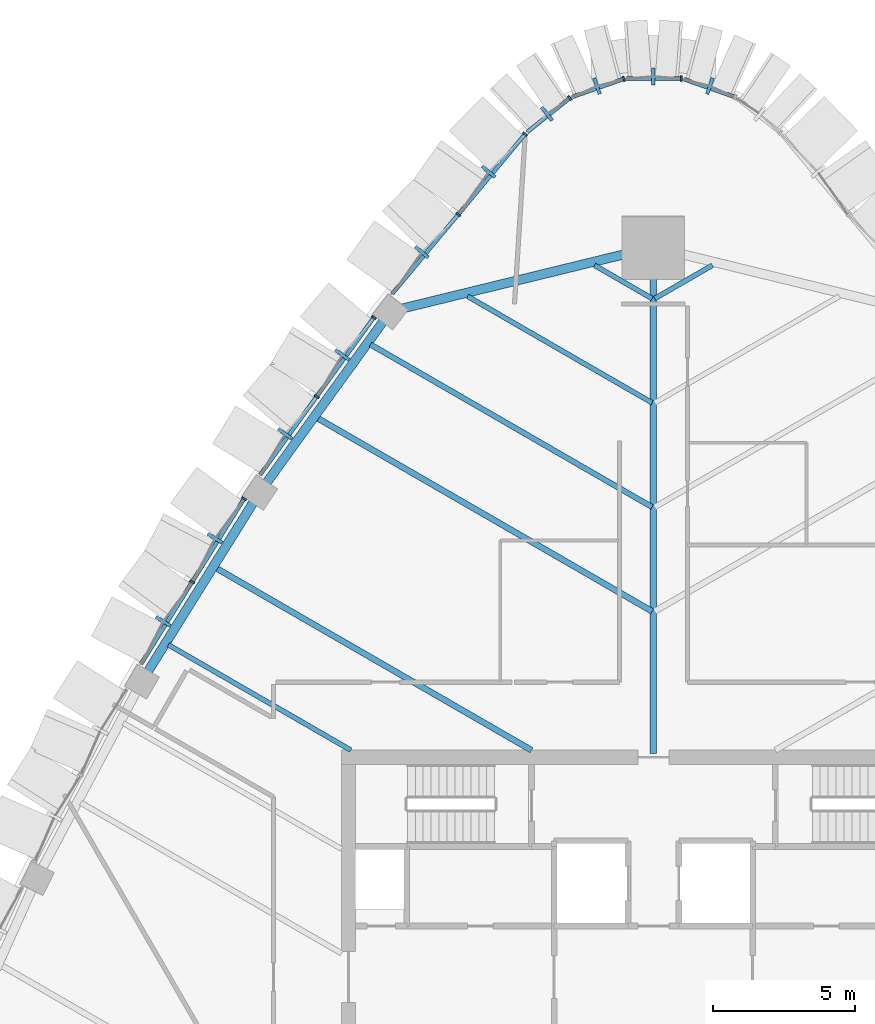
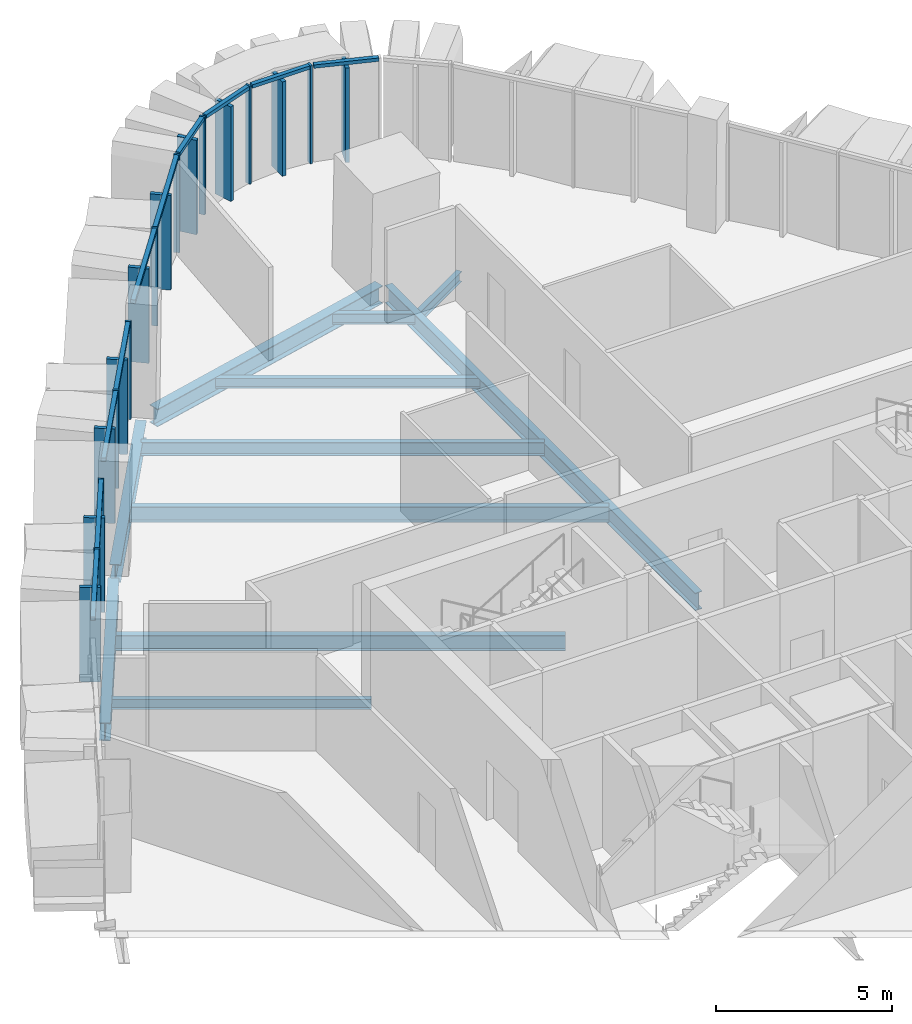
# One storey, part 6 of 19: 29 members, 11 beams, 7 elements without a shape of their own.
"""IFC4 building model written with IfcOpenShell, lengths in metres."""

from ifc_helpers import new_model, si_unit, direction, frame, origin, origin_2d, place, context, subcontext, project, spatial, rectangle, i_section, extrude, material, layer, layer_set, material_profile, profile_set, type_object, element, aggregate, save


model = new_model("IFC4")

# Units and contexts
model_context = context("Model", 3, precision=1e-05, world=origin(), true_north=direction((0.0, 1.0)))
body_context = subcontext(model_context, "Body", "Model", "MODEL_VIEW")
ifc_project = project(units=[si_unit("LENGTHUNIT", "METRE"), si_unit("AREAUNIT", "SQUARE_METRE"), si_unit("VOLUMEUNIT", "CUBIC_METRE"), si_unit("PLANEANGLEUNIT", "RADIAN"), si_unit("MASSUNIT", "GRAM", prefix="KILO")], contexts=[model_context])

# Site, building, storey
site_placement = place(None, origin())
site = spatial("IfcSite", under=ifc_project, at=site_placement, CompositionType="ELEMENT")
building_placement = place(site_placement, origin())
building = spatial("IfcBuilding", under=site, at=building_placement, Name="Sierra Prisma Convention Tower", CompositionType="ELEMENT")
storey_placement = place(building_placement, frame((0.0, 0.0, 231.0)))
storey = spatial("IfcBuildingStorey", under=building, at=storey_placement, Name="L51", CompositionType="ELEMENT", Elevation=231.0)

# Curtain wall, member
ifc_material_1 = material(Name="Aluminium and glass curtain wall", Category="aluminium")
ifc_layer = layer(ifc_material_1, 0.179931640625)
ifc_layer_set = layer_set([ifc_layer], Name="CW-2 Faceted crystal curtain wall")
curtain_wall_type = type_object("IfcCurtainWallType", Name="CW-2 Faceted crystal curtain wall", PredefinedType="NOTDEFINED", material=ifc_layer_set)
curtain_wall_1_placement = place(storey_placement, origin())
curtain_wall_1 = element("IfcCurtainWall", 1, at=curtain_wall_1_placement, inside=storey, type_object=curtain_wall_type, Name="CW-2 N2 L51", PredefinedType="NOTDEFINED")
ifc_material_2 = material(Name="Aluminium 6063-T6 bronze anodised", Category="aluminium")
ifc_material_profile_1 = material_profile(ifc_material_2, rectangle(XDim=0.1201171875, YDim=0.60009765625, at=origin_2d()), Name="ALU RIDGE BLADE 120x600")
ifc_profile_set_1 = profile_set([ifc_material_profile_1], Name="Aluminium 6063-T6 bronze anodised")
member_type_1 = type_object("IfcMemberType", Name="CW hip bronze", PredefinedType="MULLION", material=ifc_profile_set_1)
member_1_placement = place(storey_placement, frame((1.99267578125, 31.42626953125, 0.0), z_axis=(0.0, 0.0, 1.0), x_axis=(-0.943715675741, 0.330757801663, 0.0)))
member_1 = element("IfcMember", 2, at=member_1_placement, type_object=member_type_1, Name="CW-2 ridge N2.1", PredefinedType="MULLION", context=body_context, shape_type="SweptSolid", body=[
    extrude(rectangle(XDim=0.1201171875, YDim=0.60009765625, at=origin_2d()), origin(), (0.0, 0.0, 1.0), 3.280029296875),
])

curtain_wall_2_placement = place(storey_placement, origin())
curtain_wall_2 = element("IfcCurtainWall", 3, at=curtain_wall_2_placement, inside=storey, type_object=curtain_wall_type, Name="CW-2 N3 L51", PredefinedType="NOTDEFINED")
member_2_placement = place(storey_placement, frame((0.0, 31.765380859375, 0.0), z_axis=(0.0, 0.0, 1.0), x_axis=(-1.0, 0.0, 0.0)))
member_2 = element("IfcMember", 4, at=member_2_placement, type_object=member_type_1, Name="CW-2 ridge N3.1", PredefinedType="MULLION", context=body_context, shape_type="SweptSolid", body=[
    extrude(rectangle(XDim=0.1201171875, YDim=0.60009765625, at=origin_2d()), origin(), (0.0, 0.0, 1.0), 3.280029296875),
])

curtain_wall_3_placement = place(storey_placement, origin())
curtain_wall_3 = element("IfcCurtainWall", 5, at=curtain_wall_3_placement, inside=storey, type_object=curtain_wall_type, Name="CW-2 N4 L51", PredefinedType="NOTDEFINED")
member_3_placement = place(storey_placement, frame((-1.99267578125, 31.42626953125, 0.0), z_axis=(0.0, 0.0, 1.0), x_axis=(-0.943715675741, -0.330757801663, 0.0)))
member_3 = element("IfcMember", 6, at=member_3_placement, type_object=member_type_1, Name="CW-2 ridge N4.1", PredefinedType="MULLION", context=body_context, shape_type="SweptSolid", body=[
    extrude(rectangle(XDim=0.1201171875, YDim=0.60009765625, at=origin_2d()), origin(), (0.0, 0.0, 1.0), 3.280029296875),
])

curtain_wall_4_placement = place(storey_placement, origin())
curtain_wall_4 = element("IfcCurtainWall", 7, at=curtain_wall_4_placement, inside=storey, type_object=curtain_wall_type, Name="CW-2 N5 L51", PredefinedType="NOTDEFINED")
member_4_placement = place(storey_placement, frame((-3.760986328125, 30.447265625, 0.0), z_axis=(0.0, 0.0, 1.0), x_axis=(-0.781198553278, -0.624282644606, 0.0)))
member_4 = element("IfcMember", 8, at=member_4_placement, type_object=member_type_1, Name="CW-2 ridge N5.1", PredefinedType="MULLION", context=body_context, shape_type="SweptSolid", body=[
    extrude(rectangle(XDim=0.1201171875, YDim=0.60009765625, at=origin_2d()), origin(), (0.0, 0.0, 1.0), 3.280029296875),
])

# Curtain wall, members
curtain_wall_5_placement = place(storey_placement, origin())
curtain_wall_5 = element("IfcCurtainWall", 9, at=curtain_wall_5_placement, inside=storey, type_object=curtain_wall_type, Name="CW-2 NW1 L51", PredefinedType="NOTDEFINED")
member_5_placement = place(storey_placement, frame((-5.816162109375, 28.404541015625, 0.0), z_axis=(0.0, 0.0, 1.0), x_axis=(-0.639584992487, -0.768720389599, 0.0)))
member_5 = element("IfcMember", 10, at=member_5_placement, type_object=member_type_1, Name="CW-2 ridge NW1.1", PredefinedType="MULLION", context=body_context, shape_type="SweptSolid", body=[
    extrude(rectangle(XDim=0.1201171875, YDim=0.60009765625, at=origin_2d()), origin(), (0.0, 0.0, 1.0), 3.280029296875),
])
member_6_placement = place(storey_placement, frame((-8.173828125, 25.57080078125, 0.0), z_axis=(0.0, 0.0, 1.0), x_axis=(-0.639584992487, -0.768720389599, 0.0)))
member_6 = element("IfcMember", 11, at=member_6_placement, type_object=member_type_1, Name="CW-2 ridge NW1.2", PredefinedType="MULLION", context=body_context, shape_type="SweptSolid", body=[
    extrude(rectangle(XDim=0.1201171875, YDim=0.60009765625, at=origin_2d()), origin(), (0.0, 0.0, 1.0), 3.280029296875),
])

curtain_wall_6_placement = place(storey_placement, origin())
curtain_wall_6 = element("IfcCurtainWall", 12, at=curtain_wall_6_placement, inside=storey, type_object=curtain_wall_type, Name="CW-2 NW2 L51", PredefinedType="NOTDEFINED")
member_7_placement = place(storey_placement, frame((-10.978271484375, 21.945068359375, 0.0), z_axis=(0.0, 0.0, 1.0), x_axis=(-0.585757588825, -0.810486302866, 0.0)))
member_7 = element("IfcMember", 13, at=member_7_placement, type_object=member_type_1, Name="CW-2 ridge NW2.1", PredefinedType="MULLION", context=body_context, shape_type="SweptSolid", body=[
    extrude(rectangle(XDim=0.1201171875, YDim=0.60009765625, at=origin_2d()), origin(), (0.0, 0.0, 1.0), 3.280029296875),
])
member_8_placement = place(storey_placement, frame((-12.99267578125, 19.15771484375, 0.0), z_axis=(0.0, 0.0, 1.0), x_axis=(-0.585757588825, -0.810486302866, 0.0)))
member_8 = element("IfcMember", 14, at=member_8_placement, type_object=member_type_1, Name="CW-2 ridge NW2.2", PredefinedType="MULLION", context=body_context, shape_type="SweptSolid", body=[
    extrude(rectangle(XDim=0.1201171875, YDim=0.60009765625, at=origin_2d()), origin(), (0.0, 0.0, 1.0), 3.280029296875),
])

curtain_wall_7_placement = place(storey_placement, origin())
curtain_wall_7 = element("IfcCurtainWall", 15, at=curtain_wall_7_placement, inside=storey, type_object=curtain_wall_type, Name="CW-2 NW3 L51", PredefinedType="NOTDEFINED")
member_9_placement = place(storey_placement, frame((-15.467041015625, 15.475830078125, 0.0), z_axis=(0.0, 0.0, 1.0), x_axis=(-0.529211226778, -0.848490116296, 0.0)))
member_9 = element("IfcMember", 16, at=member_9_placement, type_object=member_type_1, Name="CW-2 ridge NW3.1", PredefinedType="MULLION", context=body_context, shape_type="SweptSolid", body=[
    extrude(rectangle(XDim=0.1201171875, YDim=0.60009765625, at=origin_2d()), origin(), (0.0, 0.0, 1.0), 3.280029296875),
])
member_10_placement = place(storey_placement, frame((-17.295654296875, 12.544189453125, 0.0), z_axis=(0.0, 0.0, 1.0), x_axis=(-0.529211226778, -0.848490116296, 0.0)))
member_10 = element("IfcMember", 17, at=member_10_placement, type_object=member_type_1, Name="CW-2 ridge NW3.2", PredefinedType="MULLION", context=body_context, shape_type="SweptSolid", body=[
    extrude(rectangle(XDim=0.1201171875, YDim=0.60009765625, at=origin_2d()), origin(), (0.0, 0.0, 1.0), 3.280029296875),
])

# Member
ifc_material_3 = material(Name="Aluminium 6063-T6 bronze anodised", Category="aluminium")
ifc_material_profile_2 = material_profile(ifc_material_3, rectangle(XDim=0.179931640625, YDim=0.070068359375, at=origin_2d()), Name="ALU MULLION 70x180")
ifc_profile_set_2 = profile_set([ifc_material_profile_2], Name="Aluminium 6063-T6 bronze anodised")
member_type_2 = type_object("IfcMemberType", Name="CW mullion bronze", PredefinedType="MULLION", material=ifc_profile_set_2)
member_11_placement = place(storey_placement, frame((0.9775390625, 31.691162109375, 0.0), z_axis=(0.0, 0.0, 1.0), x_axis=(0.0, -1.0, 0.0)))
member_11 = element("IfcMember", 18, at=member_11_placement, type_object=member_type_2, Name="CW-1 mullion N3.1", PredefinedType="MULLION", context=body_context, shape_type="SweptSolid", body=[
    extrude(rectangle(XDim=0.179931640625, YDim=0.070068359375, at=origin_2d()), origin(), (0.0, 0.0, 1.0), 3.39990234375),
])

member_12_placement = place(storey_placement, frame((-1.045654296875, 31.6796875, 0.0), z_axis=(0.0, 0.0, 1.0), x_axis=(0.330757801663, -0.943715675741, 0.0)))
member_12 = element("IfcMember", 19, at=member_12_placement, type_object=member_type_2, Name="CW-1 mullion N4.1", PredefinedType="MULLION", context=body_context, shape_type="SweptSolid", body=[
    extrude(rectangle(XDim=0.179931640625, YDim=0.070068359375, at=origin_2d()), origin(), (0.0, 0.0, 1.0), 3.39990234375),
])

member_13_placement = place(storey_placement, frame((-2.950927734375, 30.99951171875, 0.0), z_axis=(0.0, 0.0, 1.0), x_axis=(0.624282644606, -0.781198553278, 0.0)))
member_13 = element("IfcMember", 20, at=member_13_placement, type_object=member_type_2, Name="CW-1 mullion N5.1", PredefinedType="MULLION", context=body_context, shape_type="SweptSolid", body=[
    extrude(rectangle(XDim=0.179931640625, YDim=0.070068359375, at=origin_2d()), origin(), (0.0, 0.0, 1.0), 3.39990234375),
])

member_14_placement = place(storey_placement, frame((-4.528076171875, 29.730224609375, 0.0), z_axis=(0.0, 0.0, 1.0), x_axis=(0.768720389599, -0.639584992487, 0.0)))
member_14 = element("IfcMember", 21, at=member_14_placement, type_object=member_type_2, Name="CW-1 mullion NW1.1", PredefinedType="MULLION", context=body_context, shape_type="SweptSolid", body=[
    extrude(rectangle(XDim=0.179931640625, YDim=0.070068359375, at=origin_2d()), origin(), (0.0, 0.0, 1.0), 3.39990234375),
])

member_15_placement = place(storey_placement, frame((-6.8857421875, 26.896728515625, 0.0), z_axis=(0.0, 0.0, 1.0), x_axis=(0.768720389599, -0.639584992487, 0.0)))
member_15 = element("IfcMember", 22, at=member_15_placement, type_object=member_type_2, Name="CW-1 mullion NW1.2", PredefinedType="MULLION", context=body_context, shape_type="SweptSolid", body=[
    extrude(rectangle(XDim=0.179931640625, YDim=0.070068359375, at=origin_2d()), origin(), (0.0, 0.0, 1.0), 3.39990234375),
])

member_16_placement = place(storey_placement, frame((-9.863525390625, 23.26123046875, 0.0), z_axis=(0.0, 0.0, 1.0), x_axis=(0.810486302866, -0.585757588825, 0.0)))
member_16 = element("IfcMember", 23, at=member_16_placement, type_object=member_type_2, Name="CW-1 mullion NW2.1", PredefinedType="MULLION", context=body_context, shape_type="SweptSolid", body=[
    extrude(rectangle(XDim=0.179931640625, YDim=0.070068359375, at=origin_2d()), origin(), (0.0, 0.0, 1.0), 3.39990234375),
])

member_17_placement = place(storey_placement, frame((-11.878173828125, 20.473876953125, 0.0), z_axis=(0.0, 0.0, 1.0), x_axis=(0.810486302866, -0.585757588825, 0.0)))
member_17 = element("IfcMember", 24, at=member_17_placement, type_object=member_type_2, Name="CW-1 mullion NW2.2", PredefinedType="MULLION", context=body_context, shape_type="SweptSolid", body=[
    extrude(rectangle(XDim=0.179931640625, YDim=0.070068359375, at=origin_2d()), origin(), (0.0, 0.0, 1.0), 3.39990234375),
])

member_18_placement = place(storey_placement, frame((-14.43994140625, 16.871337890625, 0.0), z_axis=(0.0, 0.0, 1.0), x_axis=(0.848490116296, -0.529211226778, 0.0)))
member_18 = element("IfcMember", 25, at=member_18_placement, type_object=member_type_2, Name="CW-1 mullion NW3.1", PredefinedType="MULLION", context=body_context, shape_type="SweptSolid", body=[
    extrude(rectangle(XDim=0.179931640625, YDim=0.070068359375, at=origin_2d()), origin(), (0.0, 0.0, 1.0), 3.39990234375),
])

member_19_placement = place(storey_placement, frame((-16.268310546875, 13.939697265625, 0.0), z_axis=(0.0, 0.0, 1.0), x_axis=(0.848490116296, -0.529211226778, 0.0)))
member_19 = element("IfcMember", 26, at=member_19_placement, type_object=member_type_2, Name="CW-1 mullion NW3.2", PredefinedType="MULLION", context=body_context, shape_type="SweptSolid", body=[
    extrude(rectangle(XDim=0.179931640625, YDim=0.070068359375, at=origin_2d()), origin(), (0.0, 0.0, 1.0), 3.39990234375),
])

ifc_material_4 = material(Name="Aluminium 6063-T6 bronze anodised", Category="aluminium")
ifc_material_profile_3 = material_profile(ifc_material_4, rectangle(XDim=0.139892578125, YDim=0.1201171875, at=origin_2d()), Name="ALU TRANSOM 120x140")
ifc_profile_set_3 = profile_set([ifc_material_profile_3], Name="Aluminium 6063-T6 bronze anodised")
member_type_3 = type_object("IfcMemberType", Name="CW transom bronze", PredefinedType="USERDEFINED", material=ifc_profile_set_3)
member_20_placement = place(storey_placement, frame((2.857666015625, 31.044677734375, 3.340087890625), z_axis=(-0.943714916048, 0.330759969204, 0.0), x_axis=(-0.330759969204, -0.943714916048, 0.0)))
member_20 = element("IfcMember", 27, at=member_20_placement, type_object=member_type_3, Name="CW-1 transom N2.1", ObjectType="TRANSOM", PredefinedType="USERDEFINED", context=body_context, shape_type="SweptSolid", body=[
    extrude(rectangle(XDim=0.139892578125, YDim=0.1201171875, at=origin_2d()), origin(), (0.0, 0.0, 1.0), 1.88525390625),
])

aggregate(curtain_wall_1, [member_20, member_1])

member_21_placement = place(storey_placement, frame((0.942626953125, 31.691162109375, 3.340087890625), z_axis=(-1.0, 0.0, 0.0), x_axis=(0.0, -1.0, 0.0)))
member_21 = element("IfcMember", 28, at=member_21_placement, type_object=member_type_3, Name="CW-1 transom N3.1", ObjectType="TRANSOM", PredefinedType="USERDEFINED", context=body_context, shape_type="SweptSolid", body=[
    extrude(rectangle(XDim=0.139892578125, YDim=0.1201171875, at=origin_2d()), origin(), (0.0, 0.0, 1.0), 1.88525390625),
])

aggregate(curtain_wall_2, [member_11, member_21, member_2])

member_22_placement = place(storey_placement, frame((-1.07861328125, 31.668212890625, 3.340087890625), z_axis=(-0.943714916048, -0.330759969204, 0.0), x_axis=(0.330759969204, -0.943714916048, 0.0)))
member_22 = element("IfcMember", 29, at=member_22_placement, type_object=member_type_3, Name="CW-1 transom N4.1", ObjectType="TRANSOM", PredefinedType="USERDEFINED", context=body_context, shape_type="SweptSolid", body=[
    extrude(rectangle(XDim=0.139892578125, YDim=0.1201171875, at=origin_2d()), origin(), (0.0, 0.0, 1.0), 1.88525390625),
])

aggregate(curtain_wall_3, [member_12, member_22, member_3])

member_23_placement = place(storey_placement, frame((-2.978271484375, 30.977783203125, 3.340087890625), z_axis=(-0.78122247585, -0.624252707825, 0.0), x_axis=(0.624252707825, -0.78122247585, 0.0)))
member_23 = element("IfcMember", 30, at=member_23_placement, type_object=member_type_3, Name="CW-1 transom N5.1", ObjectType="TRANSOM", PredefinedType="USERDEFINED", context=body_context, shape_type="SweptSolid", body=[
    extrude(rectangle(XDim=0.139892578125, YDim=0.1201171875, at=origin_2d()), origin(), (0.0, 0.0, 1.0), 1.885009765625),
])

aggregate(curtain_wall_4, [member_13, member_23, member_4])

member_24_placement = place(storey_placement, frame((-4.55029296875, 29.703369140625, 3.340087890625), z_axis=(-0.639613133688, -0.768696974896, 0.0), x_axis=(0.768696974896, -0.639613133688, 0.0)))
member_24 = element("IfcMember", 31, at=member_24_placement, type_object=member_type_3, Name="CW-1 transom NW1.1", ObjectType="TRANSOM", PredefinedType="USERDEFINED", context=body_context, shape_type="SweptSolid", body=[
    extrude(rectangle(XDim=0.139892578125, YDim=0.1201171875, at=origin_2d()), origin(), (0.0, 0.0, 1.0), 3.6162109375),
])

member_25_placement = place(storey_placement, frame((-6.907958984375, 26.86962890625, 3.340087890625), z_axis=(-0.639613133688, -0.768696974896, 0.0), x_axis=(0.768696974896, -0.639613133688, 0.0)))
member_25 = element("IfcMember", 32, at=member_25_placement, type_object=member_type_3, Name="CW-1 transom NW1.2", ObjectType="TRANSOM", PredefinedType="USERDEFINED", context=body_context, shape_type="SweptSolid", body=[
    extrude(rectangle(XDim=0.139892578125, YDim=0.1201171875, at=origin_2d()), origin(), (0.0, 0.0, 1.0), 3.6162109375),
])

aggregate(curtain_wall_5, [member_14, member_15, member_24, member_5, member_25, member_6])

member_26_placement = place(storey_placement, frame((-9.884033203125, 23.23291015625, 3.340087890625), z_axis=(-0.585773600539, -0.810474730582, 0.0), x_axis=(0.810474730582, -0.585773600539, 0.0)))
member_26 = element("IfcMember", 33, at=member_26_placement, type_object=member_type_3, Name="CW-1 transom NW2.1", ObjectType="TRANSOM", PredefinedType="USERDEFINED", context=body_context, shape_type="SweptSolid", body=[
    extrude(rectangle(XDim=0.139892578125, YDim=0.1201171875, at=origin_2d()), origin(), (0.0, 0.0, 1.0), 3.369384765625),
])

member_27_placement = place(storey_placement, frame((-11.8984375, 20.4453125, 3.340087890625), z_axis=(-0.585773600539, -0.810474730582, 0.0), x_axis=(0.810474730582, -0.585773600539, 0.0)))
member_27 = element("IfcMember", 34, at=member_27_placement, type_object=member_type_3, Name="CW-1 transom NW2.2", ObjectType="TRANSOM", PredefinedType="USERDEFINED", context=body_context, shape_type="SweptSolid", body=[
    extrude(rectangle(XDim=0.139892578125, YDim=0.1201171875, at=origin_2d()), origin(), (0.0, 0.0, 1.0), 3.369384765625),
])

aggregate(curtain_wall_6, [member_16, member_17, member_26, member_7, member_27, member_8])

member_28_placement = place(storey_placement, frame((-14.45849609375, 16.841552734375, 3.340087890625), z_axis=(-0.52916238604, -0.848520576769, 0.0), x_axis=(0.848520576769, -0.52916238604, 0.0)))
member_28 = element("IfcMember", 35, at=member_28_placement, type_object=member_type_3, Name="CW-1 transom NW3.1", ObjectType="TRANSOM", PredefinedType="USERDEFINED", context=body_context, shape_type="SweptSolid", body=[
    extrude(rectangle(XDim=0.139892578125, YDim=0.1201171875, at=origin_2d()), origin(), (0.0, 0.0, 1.0), 3.385009765625),
])

member_29_placement = place(storey_placement, frame((-16.286865234375, 13.909912109375, 3.340087890625), z_axis=(-0.529214310303, -0.848488193065, 0.0), x_axis=(0.848488193065, -0.529214310303, 0.0)))
member_29 = element("IfcMember", 36, at=member_29_placement, type_object=member_type_3, Name="CW-1 transom NW3.2", ObjectType="TRANSOM", PredefinedType="USERDEFINED", context=body_context, shape_type="SweptSolid", body=[
    extrude(rectangle(XDim=0.139892578125, YDim=0.1201171875, at=origin_2d()), origin(), (0.0, 0.0, 1.0), 3.38525390625),
])

aggregate(curtain_wall_7, [member_18, member_19, member_28, member_9, member_29, member_10])

# Beams
ifc_material_5 = material(Name="Steel ASTM A992 Gr 50", Category="steel")
ifc_material_profile_4 = material_profile(ifc_material_5, i_section(OverallWidth=0.172119140625, OverallDepth=0.35791015625, WebThickness=0.0078125, FlangeThickness=0.01318359375, at=origin_2d()), Name="W360x57")
ifc_profile_set_4 = profile_set([ifc_material_profile_4], Name="Steel ASTM A992 Gr 50")
beam_type_1 = type_object("IfcBeamType", Name="Floor joist W360x57", PredefinedType="JOIST", material=ifc_profile_set_4)
for number, where, z_axis, x_axis, name in (
    (37, (2.07763671875, 25.10205078125, -0.3291015625), (-0.866012288157, -0.500022716245, 0.0), (0.500022716245, -0.866012288157, 0.0), "Floor joist L51 NE14"),
    (38, (-2.07763671875, 25.10205078125, -0.3291015625), (0.866012288157, -0.500022716245, 0.0), (0.500022716245, 0.866012288157, 0.0), "Floor joist L51 NW01"),
):
    element("IfcBeam", number, at=place(storey_placement, frame(where, z_axis=z_axis, x_axis=x_axis)), inside=storey, type_object=beam_type_1, Name=name, PredefinedType="JOIST", context=body_context, shape_type="SweptSolid", body=[
        extrude(i_section(OverallWidth=0.172119140625, OverallDepth=0.35791015625, WebThickness=0.0078125, FlangeThickness=0.01318359375, at=origin_2d()), origin(), (0.0, 0.0, 1.0), 2.34619140625),
    ])
beam_1_placement = place(storey_placement, frame((-6.5537109375, 24.0087890625, -0.3291015625), z_axis=(0.866037344384, -0.499979317704, 0.0), x_axis=(0.499979317704, 0.866037344384, 0.0)))
element("IfcBeam", 39, at=beam_1_placement, inside=storey, type_object=beam_type_1, Name="Floor joist L51 NW02", PredefinedType="JOIST", context=body_context, shape_type="SweptSolid", body=[
    extrude(i_section(OverallWidth=0.172119140625, OverallDepth=0.35791015625, WebThickness=0.0078125, FlangeThickness=0.01318359375, at=origin_2d()), origin(), (0.0, 0.0, 1.0), 7.514404296875),
])
beam_2_placement = place(storey_placement, frame((-17.109619140625, 11.717041015625, -0.3291015625), z_axis=(0.866013304951, -0.500020955208, 0.0), x_axis=(0.500020955208, 0.866013304951, 0.0)))
element("IfcBeam", 40, at=beam_2_placement, inside=storey, type_object=beam_type_1, Name="Floor joist L51 NW07", PredefinedType="JOIST", context=body_context, shape_type="SweptSolid", body=[
    extrude(i_section(OverallWidth=0.172119140625, OverallDepth=0.35791015625, WebThickness=0.0078125, FlangeThickness=0.01318359375, at=origin_2d()), origin(), (0.0, 0.0, 1.0), 7.433837890625),
])
ifc_material_6 = material(Name="Steel ASTM A992 Gr 50", Category="steel")
ifc_material_profile_5 = material_profile(ifc_material_6, i_section(OverallWidth=0.18994140625, OverallDepth=0.45703125, WebThickness=0.009033203125, FlangeThickness=0.014404296875, at=origin_2d()), Name="W460x74")
ifc_profile_set_5 = profile_set([ifc_material_profile_5], Name="Steel ASTM A992 Gr 50")
beam_type_2 = type_object("IfcBeamType", Name="Floor joist W460x74", PredefinedType="JOIST", material=ifc_profile_set_5)
beam_3_placement = place(storey_placement, frame((-9.980224609375, 22.31005859375, -0.37841796875), z_axis=(0.866025033342, -0.500000641624, 0.0), x_axis=(0.500000641624, 0.866025033342, 0.0)))
element("IfcBeam", 41, at=beam_3_placement, inside=storey, type_object=beam_type_2, Name="Floor joist L51 NW03", PredefinedType="JOIST", context=body_context, shape_type="SweptSolid", body=[
    extrude(i_section(OverallWidth=0.18994140625, OverallDepth=0.45703125, WebThickness=0.009033203125, FlangeThickness=0.014404296875, at=origin_2d()), origin(), (0.0, 0.0, 1.0), 11.47119140625),
])
ifc_material_7 = material(Name="Steel ASTM A992 Gr 50", Category="steel")
ifc_material_profile_6 = material_profile(ifc_material_7, i_section(OverallWidth=0.208984375, OverallDepth=0.532958984375, WebThickness=0.01025390625, FlangeThickness=0.015625, at=origin_2d()), Name="W530x92")
ifc_profile_set_6 = profile_set([ifc_material_profile_6], Name="Steel ASTM A992 Gr 50")
beam_type_3 = type_object("IfcBeamType", Name="Floor joist W530x92", PredefinedType="JOIST", material=ifc_profile_set_6)
beam_4_placement = place(storey_placement, frame((-11.85546875, 19.71533203125, -0.41650390625), z_axis=(0.866029956157, -0.499992114976, 0.0), x_axis=(0.499992114976, 0.866029956157, 0.0)))
element("IfcBeam", 42, at=beam_4_placement, inside=storey, type_object=beam_type_3, Name="Floor joist L51 NW04", PredefinedType="JOIST", context=body_context, shape_type="SweptSolid", body=[
    extrude(i_section(OverallWidth=0.208984375, OverallDepth=0.532958984375, WebThickness=0.01025390625, FlangeThickness=0.015625, at=origin_2d()), origin(), (0.0, 0.0, 1.0), 13.636474609375),
])
beam_5_placement = place(storey_placement, frame((-15.42333984375, 14.420654296875, -0.41650390625), z_axis=(0.866024433266, -0.500001680983, 0.0), x_axis=(0.500001680983, 0.866024433266, 0.0)))
element("IfcBeam", 43, at=beam_5_placement, inside=storey, type_object=beam_type_3, Name="Floor joist L51 NW06", PredefinedType="JOIST", context=body_context, shape_type="SweptSolid", body=[
    extrude(i_section(OverallWidth=0.208984375, OverallDepth=0.532958984375, WebThickness=0.01025390625, FlangeThickness=0.015625, at=origin_2d()), origin(), (0.0, 0.0, 1.0), 12.84130859375),
])
ifc_material_8 = material(Name="Steel ASTM A992 Gr 50", Category="steel")
ifc_material_profile_7 = material_profile(ifc_material_8, i_section(OverallWidth=0.22998046875, OverallDepth=0.616943359375, WebThickness=0.01318359375, FlangeThickness=0.022216796875, at=origin_2d()), Name="W610x140")
ifc_profile_set_7 = profile_set([ifc_material_profile_7], Name="Steel ASTM A992 Gr 50")
beam_type_4 = type_object("IfcBeamType", Name="Radial girder W610x140", PredefinedType="BEAM", material=ifc_profile_set_7)
beam_6_placement = place(storey_placement, frame((0.0, 25.52099609375, -0.45849609375), z_axis=(0.0, -1.0, 0.0), x_axis=(1.0, 0.0, 0.0)))
element("IfcBeam", 44, at=beam_6_placement, inside=storey, type_object=beam_type_4, Name="Radial girder L51 N", PredefinedType="BEAM", context=body_context, shape_type="SweptSolid", body=[
    extrude(i_section(OverallWidth=0.22998046875, OverallDepth=0.616943359375, WebThickness=0.01318359375, FlangeThickness=0.022216796875, at=origin_2d()), origin(), (0.0, 0.0, 1.0), 17.64111328125),
])
ifc_material_9 = material(Name="Steel ASTM A992 Gr 50", Category="steel")
ifc_material_profile_8 = material_profile(ifc_material_9, i_section(OverallWidth=0.324951171875, OverallDepth=0.615966796875, WebThickness=0.013916015625, FlangeThickness=0.021484375, at=origin_2d()), Name="W610x174")
ifc_profile_set_8 = profile_set([ifc_material_profile_8], Name="Steel ASTM A992 Gr 50")
beam_type_5 = type_object("IfcBeamType", Name="Spandrel beam W610x174", PredefinedType="BEAM", material=ifc_profile_set_8)
beam_7_placement = place(storey_placement, frame((-0.219970703125, 25.687255859375, -0.4580078125), z_axis=(-0.971455846126, -0.237220443949, 0.0), x_axis=(0.237220443949, -0.971455846126, 0.0)))
element("IfcBeam", 45, at=beam_7_placement, inside=storey, type_object=beam_type_5, Name="Spandrel L51-13", PredefinedType="BEAM", context=body_context, shape_type="SweptSolid", body=[
    extrude(i_section(OverallWidth=0.324951171875, OverallDepth=0.615966796875, WebThickness=0.013916015625, FlangeThickness=0.021484375, at=origin_2d()), origin(), (0.0, 0.0, 1.0), 8.868408203125),
])
beam_8_placement = place(storey_placement, frame((-9.470458984375, 23.207763671875, -0.4580078125), z_axis=(-0.585756402334, -0.81048716037, 0.0), x_axis=(0.81048716037, -0.585756402334, 0.0)))
element("IfcBeam", 46, at=beam_8_placement, inside=storey, type_object=beam_type_5, Name="Spandrel L51-14", PredefinedType="BEAM", context=body_context, shape_type="SweptSolid", body=[
    extrude(i_section(OverallWidth=0.324951171875, OverallDepth=0.615966796875, WebThickness=0.013916015625, FlangeThickness=0.021484375, at=origin_2d()), origin(), (0.0, 0.0, 1.0), 7.2080078125),
])
beam_9_placement = place(storey_placement, frame((-14.06103515625, 16.81787109375, -0.4580078125), z_axis=(-0.529207157908, -0.848492654075, 0.0), x_axis=(0.848492654075, -0.529207157908, 0.0)))
element("IfcBeam", 47, at=beam_9_placement, inside=storey, type_object=beam_type_5, Name="Spandrel L51-15", PredefinedType="BEAM", context=body_context, shape_type="SweptSolid", body=[
    extrude(i_section(OverallWidth=0.324951171875, OverallDepth=0.615966796875, WebThickness=0.013916015625, FlangeThickness=0.021484375, at=origin_2d()), origin(), (0.0, 0.0, 1.0), 7.208251953125),
])

save(model, "model.ifc")
